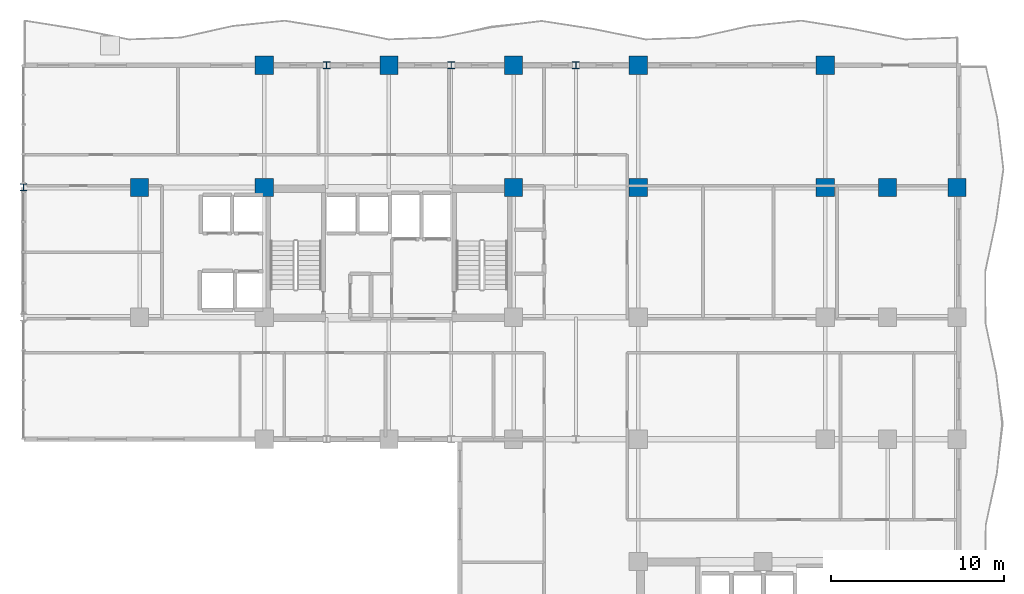
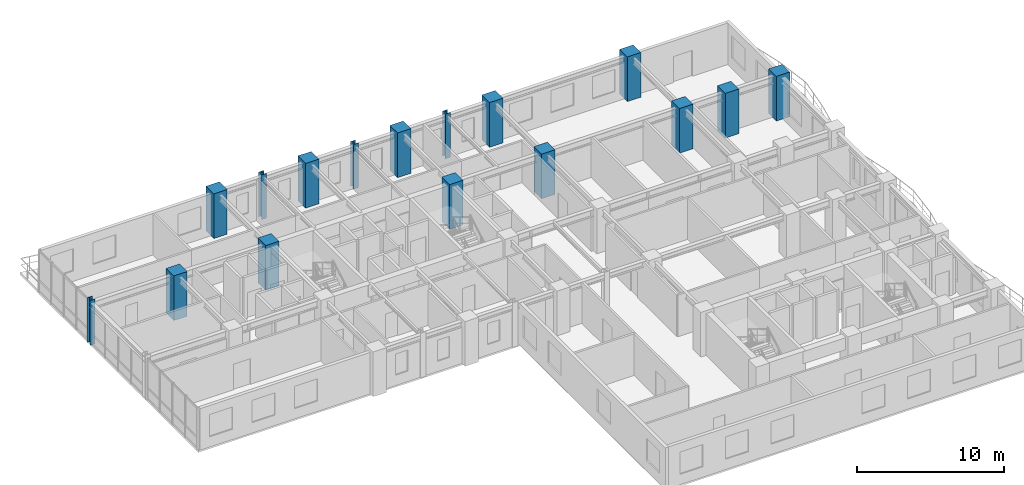
# One storey, part 2 of 19: 16 columns.
"""IFC4 building model written with IfcOpenShell, lengths in metres."""

from ifc_helpers import new_model, si_unit, direction, frame, origin, origin_2d, place, context, subcontext, project, spatial, rectangle, i_section, extrude, source, transform, mapped, material, material_profile, profile_set, type_object, element, save


model = new_model("IFC4")

# Units and contexts
model_context = context("Model", 3, precision=1e-05, world=origin(), true_north=direction((0.0, 1.0)))
body_context = subcontext(model_context, "Body", "Model", "MODEL_VIEW")
ifc_project = project(units=[si_unit("LENGTHUNIT", "METRE"), si_unit("AREAUNIT", "SQUARE_METRE"), si_unit("VOLUMEUNIT", "CUBIC_METRE"), si_unit("PLANEANGLEUNIT", "RADIAN"), si_unit("MASSUNIT", "GRAM", prefix="KILO")], contexts=[model_context])

# Site, building, storey
site_placement = place(None, origin())
site = spatial("IfcSite", under=ifc_project, at=site_placement, CompositionType="ELEMENT")
building_placement = place(site_placement, origin())
building = spatial("IfcBuilding", under=site, at=building_placement, Name="Kaliganga Portal Commons", CompositionType="ELEMENT")
storey_placement = place(building_placement, frame((0.0, 0.0, 140.199951171875)))
storey = spatial("IfcBuildingStorey", under=building, at=storey_placement, Name="L35", CompositionType="ELEMENT", Elevation=140.199951171875)

# Columns
ifc_material_1 = material(Name="Concrete C60/75", Category="concrete")
ifc_material_profile_1 = material_profile(ifc_material_1, rectangle(XDim=1.050048828125, YDim=1.050048828125, at=origin_2d()), Name="RC 1050x1050")
ifc_profile_set_1 = profile_set([ifc_material_profile_1], Name="Concrete C60/75")
column_type_1 = type_object("IfcColumnType", Name="COL-MEGA-Z3", PredefinedType="COLUMN", material=ifc_profile_set_1)
shared_shape_1 = source(origin(), body_context, "Body", "SweptSolid", [
    extrude(rectangle(XDim=1.050048828125, YDim=1.050048828125, at=origin_2d()), origin(), (0.0, 0.0, 1.0), 3.699951171875),
])
for number, where, z_axis, x_axis, name in (
    (1, (7.199951171875, 36.14990234375, 0.0), (0.0, 0.0, 1.0), (1.0, 0.0, 0.0), "Column MC-04 L35"),
    (2, (14.39990234375, 36.14990234375, 0.0), (0.0, 0.0, 1.0), (1.0, 0.0, 0.0), "Column MC-04 L35"),
    (3, (14.39990234375, 43.199951171875, 0.0), (0.0, 0.0, 1.0), (1.0, 0.0, 0.0), "Column MC-04 L35"),
    (4, (21.60009765625, 43.199951171875, 0.0), (0.0, 0.0, 1.0), (1.0, 0.0, 0.0), "Column MC-04 L35"),
    (5, (28.800048828125, 36.14990234375, 0.0), (0.0, 0.0, 1.0), (1.0, 0.0, 0.0), "Column MC-04 L35"),
    (6, (28.800048828125, 43.199951171875, 0.0), (0.0, 0.0, 1.0), (1.0, 0.0, 0.0), "Column MC-04 L35"),
    (7, (36.0, 43.199951171875, 0.0), (0.0, 0.0, 1.0), (1.0, 0.0, 0.0), "Column MC-04 L35"),
    (8, (36.0, 36.14990234375, 0.0), (0.0, 0.0, 1.0), (1.0, 0.0, 0.0), "Column MC-04 L35"),
    (9, (46.800048828125, 36.14990234375, 0.0), (0.0, 0.0, 1.0), (1.0, 0.0, 0.0), "Column MC-04 L35"),
    (10, (46.800048828125, 43.199951171875, 0.0), (0.0, 0.0, 1.0), (1.0, 0.0, 0.0), "Column MC-04 L35"),
    (11, (50.39990234375, 36.14990234375, 0.0), (0.0, 0.0, 1.0), (1.0, 0.0, 0.0), "Column MC-04 L35"),
    (12, (54.39990234375, 36.14990234375, 0.0), (0.0, 0.0, 1.0), (1.0, 0.0, 0.0), "Column MC-04 L35"),
):
    element("IfcColumn", number, at=place(storey_placement, frame(where, z_axis=z_axis, x_axis=x_axis)), inside=storey, type_object=column_type_1, Name=name, PredefinedType="COLUMN", context=body_context, shape_type="MappedRepresentation", body=[
        mapped(shared_shape_1, transform((0.0, 0.0, 0.0), x_axis=(1.0, 0.0, 0.0), y_axis=(0.0, 1.0, 0.0), z_axis=(0.0, 0.0, 1.0), scale=1.0)),
    ])
ifc_material_2 = material(Name="Structural steel S460M", Category="steel")
ifc_material_profile_2 = material_profile(ifc_material_2, i_section(OverallWidth=0.404052734375, OverallDepth=0.4140625, WebThickness=0.0205078125, FlangeThickness=0.028076171875, FilletRadius=0.014892578125, at=origin_2d()), Name="HD 400x347")
ifc_profile_set_2 = profile_set([ifc_material_profile_2], Name="Structural steel S460M wide-flange")
column_type_2 = type_object("IfcColumnType", Name="COL-TUBE-B3", PredefinedType="COLUMN", material=ifc_profile_set_2)
shared_shape_2 = source(origin(), body_context, "Body", "SweptSolid", [
    extrude(i_section(OverallWidth=0.404052734375, OverallDepth=0.4140625, WebThickness=0.0205078125, FlangeThickness=0.028076171875, FilletRadius=0.014892578125, at=origin_2d()), origin(), (0.0, 0.0, 1.0), 3.699951171875),
])
for number, where, z_axis, x_axis, name in (
    (13, (0.5, 36.14990234375, 0.0), (0.0, 0.0, 1.0), (1.0, 0.0, 0.0), "Column TC-03 L35"),
    (14, (18.0, 43.199951171875, 0.0), (0.0, 0.0, 1.0), (1.0, 0.0, 0.0), "Column TC-03 L35"),
    (15, (25.199951171875, 43.199951171875, 0.0), (0.0, 0.0, 1.0), (1.0, 0.0, 0.0), "Column TC-03 L35"),
    (16, (32.39990234375, 43.199951171875, 0.0), (0.0, 0.0, 1.0), (1.0, 0.0, 0.0), "Column TC-03 L35"),
):
    element("IfcColumn", number, at=place(storey_placement, frame(where, z_axis=z_axis, x_axis=x_axis)), inside=storey, type_object=column_type_2, Name=name, PredefinedType="COLUMN", context=body_context, shape_type="MappedRepresentation", body=[
        mapped(shared_shape_2, transform((0.0, 0.0, 0.0), x_axis=(1.0, 0.0, 0.0), y_axis=(0.0, 1.0, 0.0), z_axis=(0.0, 0.0, 1.0), scale=1.0)),
    ])

save(model, "model.ifc")
